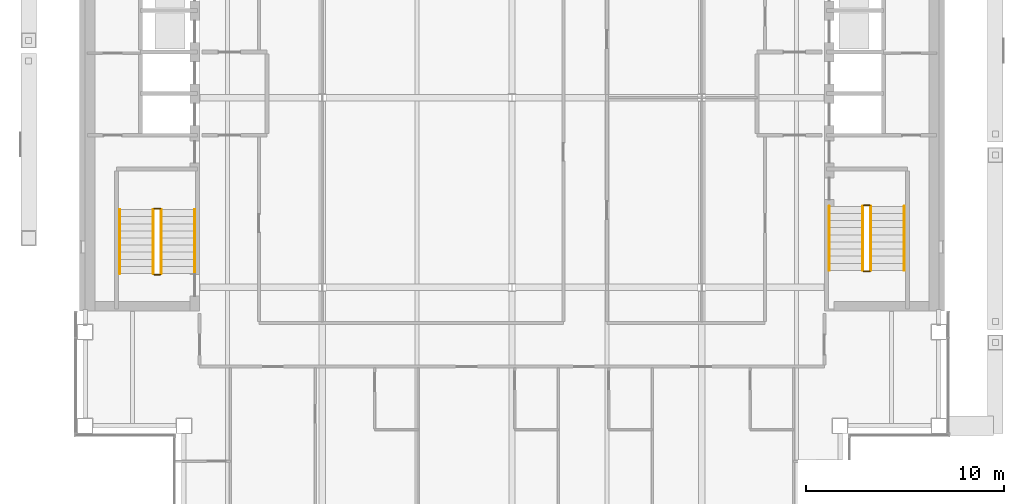
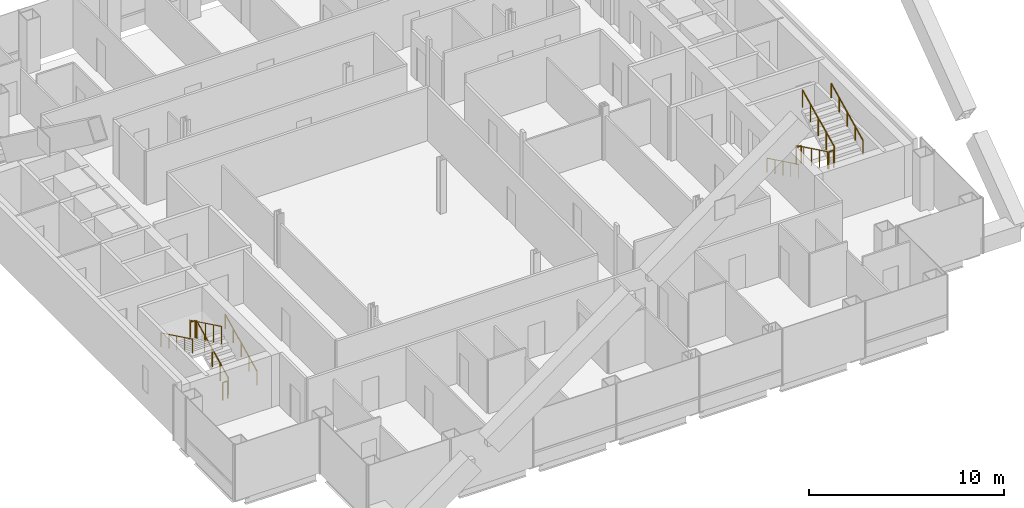
# One storey, part 17 of 18: 12 railings.
"""IFC4 building model written with IfcOpenShell, lengths in metres."""

from ifc_helpers import new_model, si_unit, direction, frame, origin, origin_2d, place, context, subcontext, project, spatial, circle, extrude, material, type_object, element, save


model = new_model("IFC4")

# Units and contexts
model_context = context("Model", 3, precision=1e-05, world=origin(), true_north=direction((0.0, 1.0)))
body_context = subcontext(model_context, "Body", "Model", "MODEL_VIEW")
ifc_project = project(units=[si_unit("LENGTHUNIT", "METRE"), si_unit("AREAUNIT", "SQUARE_METRE"), si_unit("VOLUMEUNIT", "CUBIC_METRE"), si_unit("PLANEANGLEUNIT", "RADIAN"), si_unit("MASSUNIT", "GRAM", prefix="KILO")], contexts=[model_context])

# Site, building, storey
site_placement = place(None, origin())
site = spatial("IfcSite", under=ifc_project, at=site_placement, CompositionType="ELEMENT")
building_placement = place(site_placement, origin())
building = spatial("IfcBuilding", under=site, at=building_placement, Name="Cobrizo Arcos Hotel Tower", CompositionType="ELEMENT")
storey_placement = place(building_placement, frame((0.0, 0.0, 158.5)))
storey = spatial("IfcBuildingStorey", under=building, at=storey_placement, Name="L40", CompositionType="ELEMENT", Elevation=158.5)

# Railings
ifc_material = material(Name="Stainless steel railing", Category="steel")
railing_type_1 = type_object("IfcRailingType", Name="Stair guard 1100", PredefinedType="GUARDRAIL", material=ifc_material)
railing_1_placement = place(storey_placement, frame((-17.75, -8.89990234375, 0.175048828125)))
element("IfcRailing", 1, at=railing_1_placement, inside=storey, type_object=railing_type_1, Name="L40 ST-W stair guard 1", PredefinedType="GUARDRAIL", context=body_context, shape_type="SweptSolid", body=[
    extrude(circle(Radius=0.02392578125, at=origin_2d()), frame((0.0, 0.0, 1.076171875), z_axis=(0.0, 0.899372665325, 0.437182809435), x_axis=(-1.0, 0.0, 0.0)), (0.0, 0.0, 1.0), 3.6025390625),
    extrude(circle(Radius=0.02099609375, at=origin_2d()), origin(), (0.0, 0.0, 1.0), 1.052001953125),
    extrude(circle(Radius=0.02099609375, at=origin_2d()), frame((0.0, 0.81005859375, 0.393798828125)), (0.0, 0.0, 1.0), 1.052001953125),
    extrude(circle(Radius=0.02099609375, at=origin_2d()), frame((0.0, 1.6201171875, 0.78759765625)), (0.0, 0.0, 1.0), 1.052001953125),
    extrude(circle(Radius=0.02099609375, at=origin_2d()), frame((0.0, 2.429931640625, 1.18115234375)), (0.0, 0.0, 1.0), 1.052001953125),
    extrude(circle(Radius=0.02099609375, at=origin_2d()), frame((0.0, 3.239990234375, 1.574951171875)), (0.0, 0.0, 1.0), 1.052001953125),
])
railing_2_placement = place(storey_placement, frame((-17.800048828125, -5.610107421875, 1.75)))
element("IfcRailing", 2, at=railing_2_placement, inside=storey, type_object=railing_type_1, Name="L40 ST-W stair guard 2", PredefinedType="GUARDRAIL", context=body_context, shape_type="SweptSolid", body=[
    extrude(circle(Radius=0.02392578125, at=origin_2d()), frame((0.0, 0.0, 1.076171875), z_axis=(-1.0, 0.0, 0.0), x_axis=(0.0, -1.0, 0.0)), (0.0, 0.0, 1.0), 0.300048828125),
    extrude(circle(Radius=0.02099609375, at=origin_2d()), origin(), (0.0, 0.0, 1.0), 1.052001953125),
    extrude(circle(Radius=0.02099609375, at=origin_2d()), frame((-0.300048828125, 0.0, 0.0)), (0.0, 0.0, 1.0), 1.052001953125),
])
railing_3_placement = place(storey_placement, frame((-18.14990234375, -5.659912109375, 1.925048828125)))
element("IfcRailing", 3, at=railing_3_placement, inside=storey, type_object=railing_type_1, Name="L40 ST-W stair guard 3", PredefinedType="GUARDRAIL", context=body_context, shape_type="SweptSolid", body=[
    extrude(circle(Radius=0.02392578125, at=origin_2d()), frame((0.0, 0.0, 1.076171875), z_axis=(0.0, -0.899372665325, 0.437182809435), x_axis=(1.0, 0.0, 0.0)), (0.0, 0.0, 1.0), 3.6025390625),
    extrude(circle(Radius=0.02099609375, at=origin_2d()), origin(), (0.0, 0.0, 1.0), 1.052001953125),
    extrude(circle(Radius=0.02099609375, at=origin_2d()), frame((0.0, -0.81005859375, 0.393798828125)), (0.0, 0.0, 1.0), 1.052001953125),
    extrude(circle(Radius=0.02099609375, at=origin_2d()), frame((0.0, -1.6201171875, 0.78759765625)), (0.0, 0.0, 1.0), 1.052001953125),
    extrude(circle(Radius=0.02099609375, at=origin_2d()), frame((0.0, -2.429931640625, 1.18115234375)), (0.0, 0.0, 1.0), 1.052001953125),
    extrude(circle(Radius=0.02099609375, at=origin_2d()), frame((0.0, -3.239990234375, 1.574951171875)), (0.0, 0.0, 1.0), 1.052001953125),
])
railing_4_placement = place(storey_placement, frame((-17.800048828125, -8.949951171875, 0.0)))
element("IfcRailing", 4, at=railing_4_placement, inside=storey, type_object=railing_type_1, Name="L40 ST-W stair guard 4", PredefinedType="GUARDRAIL", context=body_context, shape_type="SweptSolid", body=[
    extrude(circle(Radius=0.02392578125, at=origin_2d()), frame((0.0, 0.0, 1.076171875), z_axis=(-1.0, 0.0, 0.0), x_axis=(0.0, -1.0, 0.0)), (0.0, 0.0, 1.0), 0.300048828125),
    extrude(circle(Radius=0.02099609375, at=origin_2d()), origin(), (0.0, 0.0, 1.0), 1.052001953125),
    extrude(circle(Radius=0.02099609375, at=origin_2d()), frame((-0.300048828125, 0.0, 0.0)), (0.0, 0.0, 1.0), 1.052001953125),
])
railing_5_placement = place(storey_placement, frame((17.75, -5.5, 0.175048828125)))
element("IfcRailing", 5, at=railing_5_placement, inside=storey, type_object=railing_type_1, Name="L40 ST-E stair guard 1", PredefinedType="GUARDRAIL", context=body_context, shape_type="SweptSolid", body=[
    extrude(circle(Radius=0.02392578125, at=origin_2d()), frame((0.0, 0.0, 1.076171875), z_axis=(0.0, -0.899372665325, 0.437182809435), x_axis=(1.0, 0.0, 0.0)), (0.0, 0.0, 1.0), 3.6025390625),
    extrude(circle(Radius=0.02099609375, at=origin_2d()), origin(), (0.0, 0.0, 1.0), 1.052001953125),
    extrude(circle(Radius=0.02099609375, at=origin_2d()), frame((0.0, -0.81005859375, 0.393798828125)), (0.0, 0.0, 1.0), 1.052001953125),
    extrude(circle(Radius=0.02099609375, at=origin_2d()), frame((0.0, -1.6201171875, 0.78759765625)), (0.0, 0.0, 1.0), 1.052001953125),
    extrude(circle(Radius=0.02099609375, at=origin_2d()), frame((0.0, -2.429931640625, 1.18115234375)), (0.0, 0.0, 1.0), 1.052001953125),
    extrude(circle(Radius=0.02099609375, at=origin_2d()), frame((0.0, -3.239990234375, 1.574951171875)), (0.0, 0.0, 1.0), 1.052001953125),
])
railing_6_placement = place(storey_placement, frame((17.800048828125, -8.7900390625, 1.75)))
element("IfcRailing", 6, at=railing_6_placement, inside=storey, type_object=railing_type_1, Name="L40 ST-E stair guard 2", PredefinedType="GUARDRAIL", context=body_context, shape_type="SweptSolid", body=[
    extrude(circle(Radius=0.02392578125, at=origin_2d()), frame((0.0, 0.0, 1.076171875), z_axis=(1.0, 0.0, 0.0), x_axis=(0.0, 1.0, 0.0)), (0.0, 0.0, 1.0), 0.300048828125),
    extrude(circle(Radius=0.02099609375, at=origin_2d()), origin(), (0.0, 0.0, 1.0), 1.052001953125),
    extrude(circle(Radius=0.02099609375, at=origin_2d()), frame((0.300048828125, 0.0, 0.0)), (0.0, 0.0, 1.0), 1.052001953125),
])
railing_7_placement = place(storey_placement, frame((18.14990234375, -8.739990234375, 1.925048828125)))
element("IfcRailing", 7, at=railing_7_placement, inside=storey, type_object=railing_type_1, Name="L40 ST-E stair guard 3", PredefinedType="GUARDRAIL", context=body_context, shape_type="SweptSolid", body=[
    extrude(circle(Radius=0.02392578125, at=origin_2d()), frame((0.0, 0.0, 1.076171875), z_axis=(0.0, 0.899372665325, 0.437182809435), x_axis=(-1.0, 0.0, 0.0)), (0.0, 0.0, 1.0), 3.6025390625),
    extrude(circle(Radius=0.02099609375, at=origin_2d()), origin(), (0.0, 0.0, 1.0), 1.052001953125),
    extrude(circle(Radius=0.02099609375, at=origin_2d()), frame((0.0, 0.81005859375, 0.393798828125)), (0.0, 0.0, 1.0), 1.052001953125),
    extrude(circle(Radius=0.02099609375, at=origin_2d()), frame((0.0, 1.6201171875, 0.78759765625)), (0.0, 0.0, 1.0), 1.052001953125),
    extrude(circle(Radius=0.02099609375, at=origin_2d()), frame((0.0, 2.429931640625, 1.18115234375)), (0.0, 0.0, 1.0), 1.052001953125),
    extrude(circle(Radius=0.02099609375, at=origin_2d()), frame((0.0, 3.239990234375, 1.574951171875)), (0.0, 0.0, 1.0), 1.052001953125),
])
railing_8_placement = place(storey_placement, frame((17.800048828125, -5.449951171875, 0.0)))
element("IfcRailing", 8, at=railing_8_placement, inside=storey, type_object=railing_type_1, Name="L40 ST-E stair guard 4", PredefinedType="GUARDRAIL", context=body_context, shape_type="SweptSolid", body=[
    extrude(circle(Radius=0.02392578125, at=origin_2d()), frame((0.0, 0.0, 1.076171875), z_axis=(1.0, 0.0, 0.0), x_axis=(0.0, 1.0, 0.0)), (0.0, 0.0, 1.0), 0.300048828125),
    extrude(circle(Radius=0.02099609375, at=origin_2d()), origin(), (0.0, 0.0, 1.0), 1.052001953125),
    extrude(circle(Radius=0.02099609375, at=origin_2d()), frame((0.300048828125, 0.0, 0.0)), (0.0, 0.0, 1.0), 1.052001953125),
])
railing_type_2 = type_object("IfcRailingType", Name="Stair handrail", PredefinedType="HANDRAIL", material=ifc_material)
railing_9_placement = place(storey_placement, frame((-16.050048828125, -8.89990234375, 0.175048828125)))
element("IfcRailing", 9, at=railing_9_placement, inside=storey, type_object=railing_type_2, Name="L40 ST-W stair handrail 1", PredefinedType="HANDRAIL", context=body_context, shape_type="SweptSolid", body=[
    extrude(circle(Radius=0.02392578125, at=origin_2d()), frame((0.0, 0.0, 0.8759765625), z_axis=(0.0, 0.899372665325, 0.437182809435), x_axis=(-1.0, 0.0, 0.0)), (0.0, 0.0, 1.0), 3.6025390625),
    extrude(circle(Radius=0.02099609375, at=origin_2d()), origin(), (0.0, 0.0, 1.0), 0.851806640625),
    extrude(circle(Radius=0.02099609375, at=origin_2d()), frame((0.0, 0.81005859375, 0.393798828125)), (0.0, 0.0, 1.0), 0.851806640625),
    extrude(circle(Radius=0.02099609375, at=origin_2d()), frame((0.0, 1.6201171875, 0.78759765625)), (0.0, 0.0, 1.0), 0.851806640625),
    extrude(circle(Radius=0.02099609375, at=origin_2d()), frame((0.0, 2.429931640625, 1.18115234375)), (0.0, 0.0, 1.0), 0.851806640625),
    extrude(circle(Radius=0.02099609375, at=origin_2d()), frame((0.0, 3.239990234375, 1.574951171875)), (0.0, 0.0, 1.0), 0.851806640625),
])
for number, where, name in (
    (10, (-19.85009765625, -5.659912109375, 1.925048828125), "L40 ST-W stair handrail 2"),
    (11, (16.050048828125, -5.5, 0.175048828125), "L40 ST-E stair handrail 1"),
):
    element("IfcRailing", number, at=place(storey_placement, frame(where)), inside=storey, type_object=railing_type_2, Name=name, PredefinedType="HANDRAIL", context=body_context, shape_type="SweptSolid", body=[
        extrude(circle(Radius=0.02392578125, at=origin_2d()), frame((0.0, 0.0, 0.8759765625), z_axis=(0.0, -0.899372665325, 0.437182809435), x_axis=(1.0, 0.0, 0.0)), (0.0, 0.0, 1.0), 3.6025390625),
        extrude(circle(Radius=0.02099609375, at=origin_2d()), origin(), (0.0, 0.0, 1.0), 0.851806640625),
        extrude(circle(Radius=0.02099609375, at=origin_2d()), frame((0.0, -0.81005859375, 0.393798828125)), (0.0, 0.0, 1.0), 0.851806640625),
        extrude(circle(Radius=0.02099609375, at=origin_2d()), frame((0.0, -1.6201171875, 0.78759765625)), (0.0, 0.0, 1.0), 0.851806640625),
        extrude(circle(Radius=0.02099609375, at=origin_2d()), frame((0.0, -2.429931640625, 1.18115234375)), (0.0, 0.0, 1.0), 0.851806640625),
        extrude(circle(Radius=0.02099609375, at=origin_2d()), frame((0.0, -3.239990234375, 1.574951171875)), (0.0, 0.0, 1.0), 0.851806640625),
    ])
railing_10_placement = place(storey_placement, frame((19.85009765625, -8.739990234375, 1.925048828125)))
element("IfcRailing", 12, at=railing_10_placement, inside=storey, type_object=railing_type_2, Name="L40 ST-E stair handrail 2", PredefinedType="HANDRAIL", context=body_context, shape_type="SweptSolid", body=[
    extrude(circle(Radius=0.02392578125, at=origin_2d()), frame((0.0, 0.0, 0.8759765625), z_axis=(0.0, 0.899372665325, 0.437182809435), x_axis=(-1.0, 0.0, 0.0)), (0.0, 0.0, 1.0), 3.6025390625),
    extrude(circle(Radius=0.02099609375, at=origin_2d()), origin(), (0.0, 0.0, 1.0), 0.851806640625),
    extrude(circle(Radius=0.02099609375, at=origin_2d()), frame((0.0, 0.81005859375, 0.393798828125)), (0.0, 0.0, 1.0), 0.851806640625),
    extrude(circle(Radius=0.02099609375, at=origin_2d()), frame((0.0, 1.6201171875, 0.78759765625)), (0.0, 0.0, 1.0), 0.851806640625),
    extrude(circle(Radius=0.02099609375, at=origin_2d()), frame((0.0, 2.429931640625, 1.18115234375)), (0.0, 0.0, 1.0), 0.851806640625),
    extrude(circle(Radius=0.02099609375, at=origin_2d()), frame((0.0, 3.239990234375, 1.574951171875)), (0.0, 0.0, 1.0), 0.851806640625),
])

save(model, "model.ifc")
